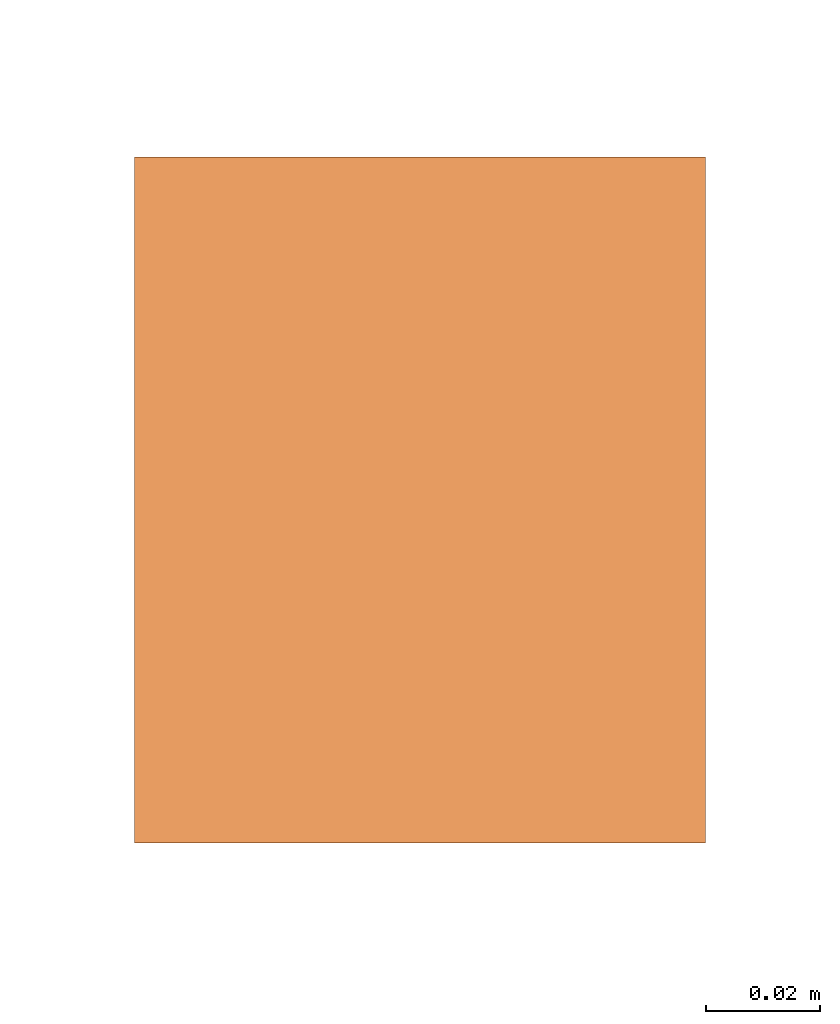
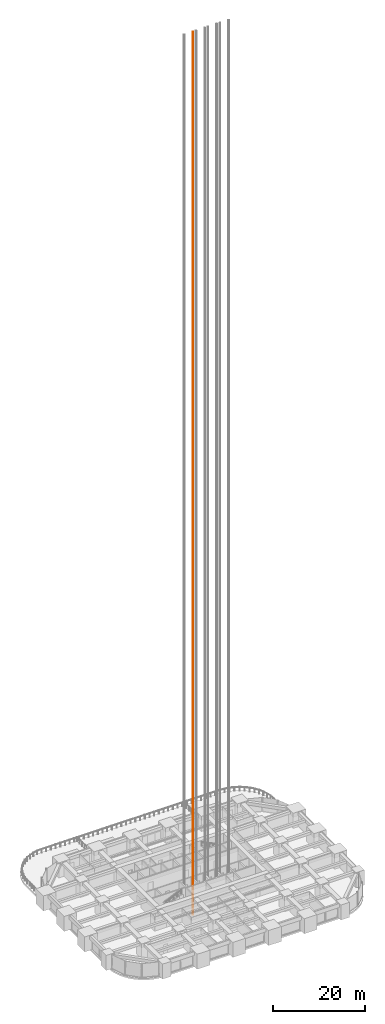
# One storey, part 44 of 50: 1 proxy.
"""IFC4 building model written with IfcOpenShell, lengths in metres."""

from ifc_helpers import new_model, si_unit, direction, frame, origin, origin_2d, place, context, subcontext, project, spatial, rectangle, extrude, element, save


model = new_model("IFC4")

# Units and contexts
model_context = context("Model", 3, precision=1e-05, world=origin(), true_north=direction((0.0, 1.0)))
body_context = subcontext(model_context, "Body", "Model", "MODEL_VIEW")
ifc_project = project(units=[si_unit("LENGTHUNIT", "METRE"), si_unit("AREAUNIT", "SQUARE_METRE"), si_unit("VOLUMEUNIT", "CUBIC_METRE"), si_unit("PLANEANGLEUNIT", "RADIAN"), si_unit("MASSUNIT", "GRAM", prefix="KILO")], contexts=[model_context])

# Site, building, storey
site_placement = place(None, origin())
site = spatial("IfcSite", under=ifc_project, at=site_placement, CompositionType="ELEMENT")
building_placement = place(site_placement, origin())
building = spatial("IfcBuilding", under=site, at=building_placement, Name="Zorevar Civic Tower", CompositionType="ELEMENT")
storey_placement = place(building_placement, frame((0.0, 0.0, 85.0)))
storey = spatial("IfcBuildingStorey", under=building, at=storey_placement, Name="L20", CompositionType="ELEMENT", Elevation=85.0)

# Proxy
proxy_placement = place(storey_placement, frame((29.60009765625, 23.10009765625, -5.0), z_axis=(0.0, 0.0, 1.0), x_axis=(1.0, 0.0, 0.0)))
element("IfcBuildingElementProxy", 1, at=proxy_placement, inside=storey, Name="Passenger lift LT1 guide rail 2", PredefinedType="NOTDEFINED", context=body_context, shape_type="SweptSolid", body=[
    extrude(rectangle(XDim=0.10009765625, YDim=0.1201171875, at=origin_2d()), origin(), (0.0, 0.0, 1.0), 235.300048828125),
])

save(model, "model.ifc")
